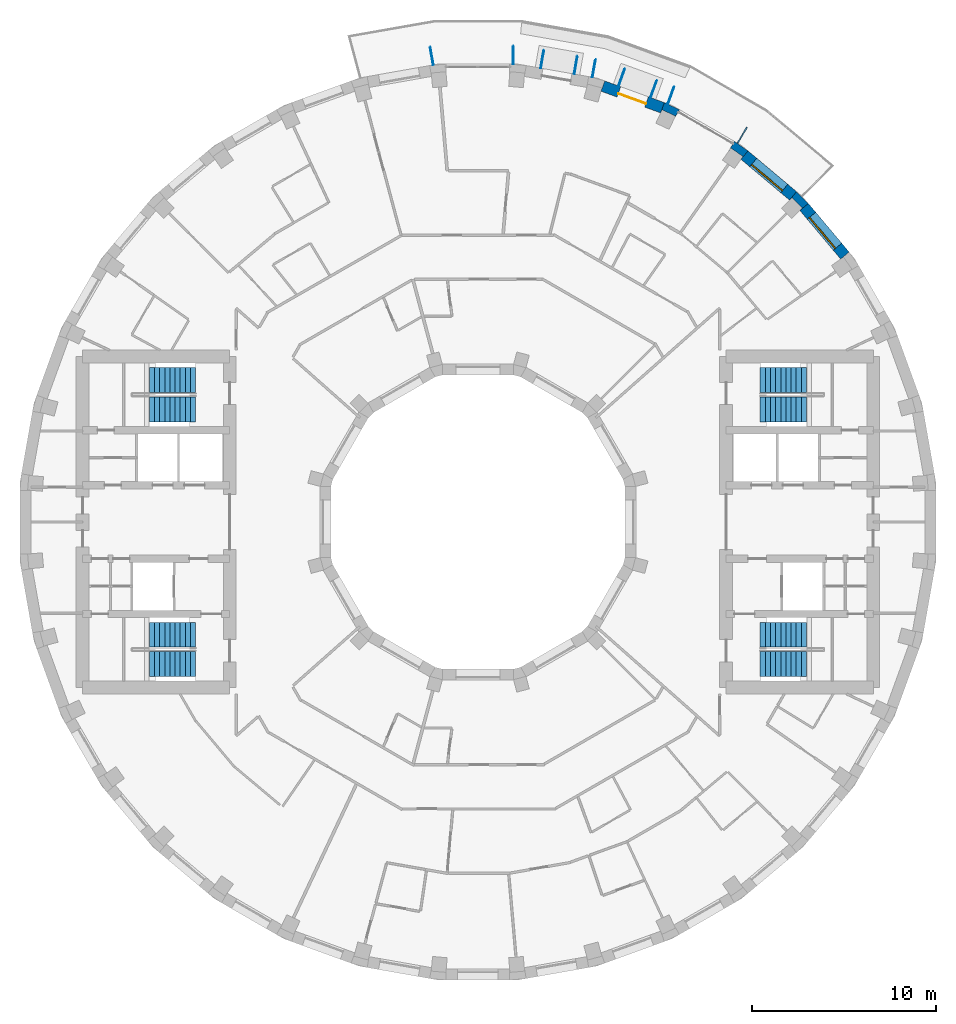
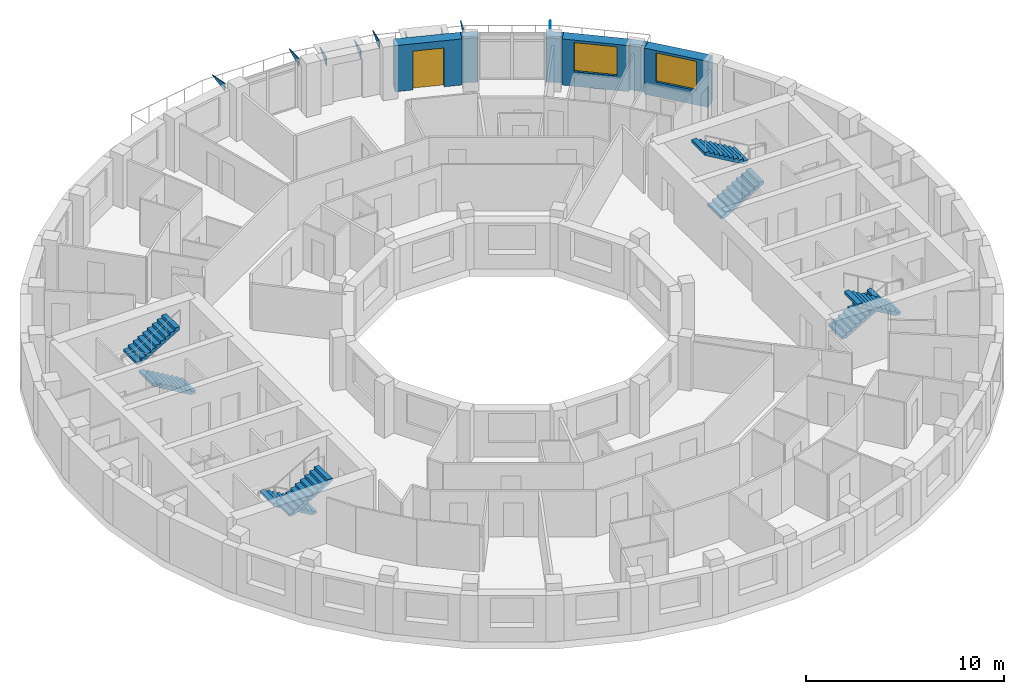
# One storey, part 12 of 13: 9 discrete accessories, 8 stair flights, 6 walls, 2 windows, 1 door, 3 openings, 4 elements without a shape of their own.
"""IFC4 building model written with IfcOpenShell, lengths in metres."""

from ifc_helpers import new_model, si_unit, direction, frame, frame_2d, origin, place, context, subcontext, project, spatial, polyline, rectangle, outline, extrude, material, layer, layer_set, type_object, element, fill, aggregate, save


model = new_model("IFC4")

# Units and contexts
model_context = context("Model", 3, precision=1e-05, world=origin(), true_north=direction((0.0, 1.0)))
body_context = subcontext(model_context, "Body", "Model", "MODEL_VIEW")
ifc_project = project(units=[si_unit("LENGTHUNIT", "METRE"), si_unit("AREAUNIT", "SQUARE_METRE"), si_unit("VOLUMEUNIT", "CUBIC_METRE"), si_unit("PLANEANGLEUNIT", "RADIAN"), si_unit("MASSUNIT", "GRAM", prefix="KILO")], contexts=[model_context])

# Site, building, storey
site_placement = place(None, origin())
site = spatial("IfcSite", under=ifc_project, at=site_placement, CompositionType="ELEMENT")
building_placement = place(site_placement, origin())
building = spatial("IfcBuilding", under=site, at=building_placement, Name="Saqina Gate Tower", CompositionType="ELEMENT")
storey_placement = place(building_placement, frame((0.0, 0.0, 203.699951171875)))
storey = spatial("IfcBuildingStorey", under=building, at=storey_placement, Name="L58", CompositionType="ELEMENT", Elevation=203.699951171875)

# Walls
ifc_material_1 = material(Name="Brick masonry (buff)", Category="masonry")
wall_type_1 = type_object("IfcWallType", Name="BRICK PIER COPING BUFF", PredefinedType="SOLIDWALL", material=ifc_material_1)
wall_1_placement = place(storey_placement, origin())
element("IfcWall", 1, at=wall_1_placement, inside=storey, type_object=wall_type_1, Name="Pier cap L58 column 5", PredefinedType="SOLIDWALL", context=body_context, shape_type="SweptSolid", body=[
    extrude(outline(polyline([(17.329833984375, 17.969482421875), (16.944091796875, 17.510009765625), (17.07666015625, 17.642333984375), (17.642333984375, 17.07666015625), (17.510009765625, 16.944091796875), (17.969482421875, 17.329833984375), (17.329833984375, 17.969482421875)])), origin(), (0.0, 0.0, 1.0), 2.85009765625),
])
wall_2_placement = place(storey_placement, origin())
element("IfcWall", 2, at=wall_2_placement, inside=storey, type_object=wall_type_1, Name="Pier cap L58 column 6", PredefinedType="SOLIDWALL", context=body_context, shape_type="SweptSolid", body=[
    extrude(outline(polyline([(14.687255859375, 20.18701171875), (13.9462890625, 20.705810546875), (13.646240234375, 20.186279296875), (13.753662109375, 20.339599609375), (14.408935546875, 19.880859375), (14.301513671875, 19.727294921875), (14.687255859375, 20.18701171875)])), origin(), (0.0, 0.0, 1.0), 2.85009765625),
])
wall_3_placement = place(storey_placement, origin())
element("IfcWall", 3, at=wall_3_placement, inside=storey, type_object=wall_type_1, Name="Pier cap L58 column 7", PredefinedType="SOLIDWALL", context=body_context, shape_type="SweptSolid", body=[
    extrude(outline(polyline([(10.138916015625, 22.81298828125), (9.93359375, 22.249267578125), (10.0126953125, 22.4189453125), (10.73779296875, 22.080810546875), (10.65869140625, 21.9111328125), (10.958740234375, 22.4306640625), (10.138916015625, 22.81298828125)])), origin(), (0.0, 0.0, 1.0), 2.85009765625),
])

# Wall, opening, window
ifc_material_2 = material(Name="Brick masonry (buff)", Category="masonry")
ifc_layer_1 = layer(ifc_material_2, 0.60009765625)
ifc_layer_set_1 = layer_set([ifc_layer_1], Name="FW-BRICK-BUFF")
wall_type_2 = type_object("IfcWallType", Name="FW-BRICK-BUFF", PredefinedType="SOLIDWALL", material=ifc_layer_set_1)
wall_4_placement = place(storey_placement, frame((19.95703125, 14.494384765625, 0.0), z_axis=(0.0, 0.0, 1.0), x_axis=(-0.642770398358, 0.766058884809, 0.0)))
wall_4 = element("IfcWall", 4, at=wall_4_placement, inside=storey, type_object=wall_type_2, Name="Facade wall L58 facet 4", PredefinedType="SOLIDWALL", context=body_context, shape_type="SweptSolid", body=[
    extrude(rectangle(XDim=3.449462890625, YDim=0.60009765625, at=frame_2d((1.724609375, 0.0))), origin(), (0.0, 0.0, 1.0), 2.85009765625),
])
opening_1_placement = place(wall_4_placement, frame((0.625, 0.0, 0.89990234375)))
opening_1 = element("IfcOpeningElement", 5, at=opening_1_placement, cuts=wall_4, Name="Opening G17-W02", PredefinedType="OPENING", context=body_context, shape_type="SweptSolid", body=[
    extrude(rectangle(XDim=2.199951171875, YDim=1.800048828125, at=frame_2d((1.10009765625, 0.89990234375))), frame((0.0, 0.31201171875, 0.0), z_axis=(0.0, -1.0, 0.0), x_axis=(1.0, 0.0, 0.0)), (0.0, 0.0, 1.0), 0.6240234375),
])
ifc_material_3 = material(Name="Aluminium glazing", Category="aluminium")
window_type = type_object("IfcWindowType", Name="WN-C", PartitioningType="SINGLE_PANEL", PredefinedType="WINDOW", material=ifc_material_3)
window_1_placement = place(opening_1_placement, origin())
window_1 = element("IfcWindow", 6, at=window_1_placement, inside=storey, type_object=window_type, Name="Window L58 facet 4", OverallHeight=1.800048828125, OverallWidth=2.199951171875, PartitioningType="SINGLE_PANEL", PredefinedType="WINDOW", context=body_context, shape_type="SweptSolid", body=[
    extrude(rectangle(XDim=2.199951171875, YDim=1.800048828125, at=frame_2d((1.10009765625, 0.89990234375))), frame((0.0, 0.179931640625, 0.0), z_axis=(0.0, -1.0, 0.0), x_axis=(1.0, 0.0, 0.0)), (0.0, 0.0, 1.0), 0.06005859375),
])
fill(opening_1, window_1)

wall_5_placement = place(storey_placement, frame((17.136962890625, 17.73974609375, 0.0), z_axis=(0.0, 0.0, 1.0), x_axis=(-0.766058884809, 0.642770398358, 0.0)))
wall_5 = element("IfcWall", 7, at=wall_5_placement, inside=storey, type_object=wall_type_2, Name="Facade wall L58 facet 5", PredefinedType="SOLIDWALL", context=body_context, shape_type="SweptSolid", body=[
    extrude(rectangle(XDim=3.449462890625, YDim=0.60009765625, at=frame_2d((1.724609375, 0.0))), origin(), (0.0, 0.0, 1.0), 2.85009765625),
])
opening_2_placement = place(wall_5_placement, frame((0.625, 0.0, 0.89990234375)))
opening_2 = element("IfcOpeningElement", 8, at=opening_2_placement, cuts=wall_5, Name="Opening G17-W03", PredefinedType="OPENING", context=body_context, shape_type="SweptSolid", body=[
    extrude(rectangle(XDim=2.199951171875, YDim=1.800048828125, at=frame_2d((1.10009765625, 0.89990234375))), frame((0.0, 0.31201171875, 0.0), z_axis=(0.0, -1.0, 0.0), x_axis=(1.0, 0.0, 0.0)), (0.0, 0.0, 1.0), 0.6240234375),
])
window_2_placement = place(opening_2_placement, origin())
window_2 = element("IfcWindow", 9, at=window_2_placement, inside=storey, type_object=window_type, Name="Window L58 facet 5", OverallHeight=1.800048828125, OverallWidth=2.199951171875, PartitioningType="SINGLE_PANEL", PredefinedType="WINDOW", context=body_context, shape_type="SweptSolid", body=[
    extrude(rectangle(XDim=2.199951171875, YDim=1.800048828125, at=frame_2d((1.10009765625, 0.89990234375))), frame((0.0, 0.179931640625, 0.0), z_axis=(0.0, -1.0, 0.0), x_axis=(1.0, 0.0, 0.0)), (0.0, 0.0, 1.0), 0.06005859375),
])
fill(opening_2, window_2)

# Wall, opening, door
wall_6_placement = place(storey_placement, frame((10.0361328125, 22.531005859375, 0.0), z_axis=(0.0, 0.0, 1.0), x_axis=(-0.93968799822, 0.342032843455, 0.0)))
wall_6 = element("IfcWall", 10, at=wall_6_placement, inside=storey, type_object=wall_type_2, Name="Facade wall L58 facet 7", PredefinedType="SOLIDWALL", context=body_context, shape_type="SweptSolid", body=[
    extrude(rectangle(XDim=3.44970703125, YDim=0.60009765625, at=frame_2d((1.724853515625, 0.0))), origin(), (0.0, 0.0, 1.0), 2.85009765625),
])
opening_3_placement = place(wall_6_placement, frame((0.9248046875, 0.0, 0.0)))
opening_3 = element("IfcOpeningElement", 11, at=opening_3_placement, cuts=wall_6, Name="Opening G17-D80", PredefinedType="OPENING", context=body_context, shape_type="SweptSolid", body=[
    extrude(rectangle(XDim=1.60009765625, YDim=2.39990234375, at=frame_2d((0.800048828125, 1.199951171875))), frame((0.0, 0.31201171875, 0.0), z_axis=(0.0, -1.0, 0.0), x_axis=(1.0, 0.0, 0.0)), (0.0, 0.0, 1.0), 0.6240234375),
])
ifc_material_4 = material(Name="Aluminium glazing", Category="aluminium")
door_type = type_object("IfcDoorType", Name="GD-C", OperationType="DOUBLE_DOOR_SINGLE_SWING", PredefinedType="DOOR", material=ifc_material_4)
door_placement = place(opening_3_placement, origin())
door = element("IfcDoor", 12, at=door_placement, inside=storey, type_object=door_type, Name="Terrace door L58 facet 7", OperationType="DOUBLE_DOOR_SINGLE_SWING", OverallHeight=2.39990234375, OverallWidth=1.60009765625, PredefinedType="DOOR", context=body_context, shape_type="SweptSolid", body=[
    extrude(rectangle(XDim=1.60009765625, YDim=2.39990234375, at=frame_2d((0.800048828125, 1.199951171875))), frame((0.0, 0.125, 0.0), z_axis=(0.0, -1.0, 0.0), x_axis=(1.0, 0.0, 0.0)), (0.0, 0.0, 1.0), 0.050048828125),
])
fill(opening_3, door)

# Stair, stair flights
ifc_material_5 = material(Name="Concrete C40/50", Category="concrete")
stair_type = type_object("IfcStairType", Name="EXIT STAIR", PredefinedType="HALF_TURN_STAIR", material=ifc_material_5)
stair_1_placement = place(storey_placement, origin())
stair_1 = element("IfcStair", 13, at=stair_1_placement, inside=storey, type_object=stair_type, Name="EXIT STAIR 1", PredefinedType="HALF_TURN_STAIR")
ifc_material_6 = material(Name="Concrete C40/50", Category="concrete")
stair_flight_type = type_object("IfcStairFlightType", Name="EXIT STAIR FLIGHT", PredefinedType="STRAIGHT", material=ifc_material_6)
stair_flight_1_placement = place(storey_placement, frame((15.35009765625, 6.125, 0.0), z_axis=(0.0, 0.0, 1.0), x_axis=(1.0, 0.0, 0.0)))
stair_flight_1 = element("IfcStairFlight", 14, at=stair_flight_1_placement, type_object=stair_flight_type, Name="EXIT STAIR 1 FLIGHT 1", NumberOfRisers=10, NumberOfTreads=9, PredefinedType="STRAIGHT", RiserHeight=0.165, TreadLength=0.28, context=body_context, shape_type="SweptSolid", body=[
    extrude(outline(polyline([(0.0, 0.0), (0.0, 0.1650390625), (0.280029296875, 0.1650390625), (0.280029296875, 0.330078125), (0.56005859375, 0.330078125), (0.56005859375, 0.4951171875), (0.840087890625, 0.4951171875), (0.840087890625, 0.659912109375), (1.1201171875, 0.659912109375), (1.1201171875, 0.824951171875), (1.39990234375, 0.824951171875), (1.39990234375, 0.989990234375), (1.679931640625, 0.989990234375), (1.679931640625, 1.155029296875), (1.9599609375, 1.155029296875), (1.9599609375, 1.320068359375), (2.239990234375, 1.320068359375), (2.239990234375, 1.485107421875), (2.52001953125, 1.485107421875), (2.52001953125, 1.64990234375), (2.52001953125, 1.31103515625), (0.295166015625, 0.0), (0.0, 0.0)])), frame((0.0, 0.675048828125, 0.0), z_axis=(0.0, -1.0, 0.0), x_axis=(1.0, 0.0, 0.0)), (0.0, 0.0, 1.0), 1.35009765625),
])
stair_flight_2_placement = place(storey_placement, frame((17.8701171875, 7.72509765625, 1.650146484375), z_axis=(0.0, 0.0, 1.0), x_axis=(-1.0, 0.0, 0.0)))
stair_flight_2 = element("IfcStairFlight", 15, at=stair_flight_2_placement, type_object=stair_flight_type, Name="EXIT STAIR 1 FLIGHT 2", NumberOfRisers=10, NumberOfTreads=9, PredefinedType="STRAIGHT", RiserHeight=0.165, TreadLength=0.28, context=body_context, shape_type="SweptSolid", body=[
    extrude(outline(polyline([(0.0, 0.0), (0.0, 0.1650390625), (0.280029296875, 0.1650390625), (0.280029296875, 0.330078125), (0.56005859375, 0.330078125), (0.56005859375, 0.4951171875), (0.840087890625, 0.4951171875), (0.840087890625, 0.659912109375), (1.1201171875, 0.659912109375), (1.1201171875, 0.824951171875), (1.39990234375, 0.824951171875), (1.39990234375, 0.989990234375), (1.679931640625, 0.989990234375), (1.679931640625, 1.155029296875), (1.9599609375, 1.155029296875), (1.9599609375, 1.320068359375), (2.239990234375, 1.320068359375), (2.239990234375, 1.485107421875), (2.52001953125, 1.485107421875), (2.52001953125, 1.64990234375), (2.52001953125, 1.31103515625), (0.295166015625, 0.0), (0.0, 0.0)])), frame((0.0, 0.675048828125, 0.0), z_axis=(0.0, -1.0, 0.0), x_axis=(1.0, 0.0, 0.0)), (0.0, 0.0, 1.0), 1.35009765625),
])
aggregate(stair_1, [stair_flight_1, stair_flight_2])

stair_2_placement = place(storey_placement, origin())
stair_2 = element("IfcStair", 16, at=stair_2_placement, inside=storey, type_object=stair_type, Name="EXIT STAIR 2", PredefinedType="HALF_TURN_STAIR")
stair_flight_3_placement = place(storey_placement, frame((15.35009765625, -6.125, 0.0), z_axis=(0.0, 0.0, 1.0), x_axis=(1.0, 0.0, 0.0)))
stair_flight_3 = element("IfcStairFlight", 17, at=stair_flight_3_placement, type_object=stair_flight_type, Name="EXIT STAIR 2 FLIGHT 1", NumberOfRisers=10, NumberOfTreads=9, PredefinedType="STRAIGHT", RiserHeight=0.165, TreadLength=0.28, context=body_context, shape_type="SweptSolid", body=[
    extrude(outline(polyline([(0.0, 0.0), (0.0, 0.1650390625), (0.280029296875, 0.1650390625), (0.280029296875, 0.330078125), (0.56005859375, 0.330078125), (0.56005859375, 0.4951171875), (0.840087890625, 0.4951171875), (0.840087890625, 0.659912109375), (1.1201171875, 0.659912109375), (1.1201171875, 0.824951171875), (1.39990234375, 0.824951171875), (1.39990234375, 0.989990234375), (1.679931640625, 0.989990234375), (1.679931640625, 1.155029296875), (1.9599609375, 1.155029296875), (1.9599609375, 1.320068359375), (2.239990234375, 1.320068359375), (2.239990234375, 1.485107421875), (2.52001953125, 1.485107421875), (2.52001953125, 1.64990234375), (2.52001953125, 1.31103515625), (0.295166015625, 0.0), (0.0, 0.0)])), frame((0.0, 0.675048828125, 0.0), z_axis=(0.0, -1.0, 0.0), x_axis=(1.0, 0.0, 0.0)), (0.0, 0.0, 1.0), 1.35009765625),
])
stair_flight_4_placement = place(storey_placement, frame((17.8701171875, -7.72509765625, 1.650146484375), z_axis=(0.0, 0.0, 1.0), x_axis=(-1.0, 0.0, 0.0)))
stair_flight_4 = element("IfcStairFlight", 18, at=stair_flight_4_placement, type_object=stair_flight_type, Name="EXIT STAIR 2 FLIGHT 2", NumberOfRisers=10, NumberOfTreads=9, PredefinedType="STRAIGHT", RiserHeight=0.165, TreadLength=0.28, context=body_context, shape_type="SweptSolid", body=[
    extrude(outline(polyline([(0.0, 0.0), (0.0, 0.1650390625), (0.280029296875, 0.1650390625), (0.280029296875, 0.330078125), (0.56005859375, 0.330078125), (0.56005859375, 0.4951171875), (0.840087890625, 0.4951171875), (0.840087890625, 0.659912109375), (1.1201171875, 0.659912109375), (1.1201171875, 0.824951171875), (1.39990234375, 0.824951171875), (1.39990234375, 0.989990234375), (1.679931640625, 0.989990234375), (1.679931640625, 1.155029296875), (1.9599609375, 1.155029296875), (1.9599609375, 1.320068359375), (2.239990234375, 1.320068359375), (2.239990234375, 1.485107421875), (2.52001953125, 1.485107421875), (2.52001953125, 1.64990234375), (2.52001953125, 1.31103515625), (0.295166015625, 0.0), (0.0, 0.0)])), frame((0.0, 0.675048828125, 0.0), z_axis=(0.0, -1.0, 0.0), x_axis=(1.0, 0.0, 0.0)), (0.0, 0.0, 1.0), 1.35009765625),
])
aggregate(stair_2, [stair_flight_3, stair_flight_4])

stair_3_placement = place(storey_placement, origin())
stair_3 = element("IfcStair", 19, at=stair_3_placement, inside=storey, type_object=stair_type, Name="EXIT STAIR 3", PredefinedType="HALF_TURN_STAIR")
stair_flight_5_placement = place(storey_placement, frame((-15.35009765625, 6.125, 0.0), z_axis=(0.0, 0.0, 1.0), x_axis=(-1.0, 0.0, 0.0)))
stair_flight_5 = element("IfcStairFlight", 20, at=stair_flight_5_placement, type_object=stair_flight_type, Name="EXIT STAIR 3 FLIGHT 1", NumberOfRisers=10, NumberOfTreads=9, PredefinedType="STRAIGHT", RiserHeight=0.165, TreadLength=0.28, context=body_context, shape_type="SweptSolid", body=[
    extrude(outline(polyline([(0.0, 0.0), (0.0, 0.1650390625), (0.280029296875, 0.1650390625), (0.280029296875, 0.330078125), (0.56005859375, 0.330078125), (0.56005859375, 0.4951171875), (0.840087890625, 0.4951171875), (0.840087890625, 0.659912109375), (1.1201171875, 0.659912109375), (1.1201171875, 0.824951171875), (1.39990234375, 0.824951171875), (1.39990234375, 0.989990234375), (1.679931640625, 0.989990234375), (1.679931640625, 1.155029296875), (1.9599609375, 1.155029296875), (1.9599609375, 1.320068359375), (2.239990234375, 1.320068359375), (2.239990234375, 1.485107421875), (2.52001953125, 1.485107421875), (2.52001953125, 1.64990234375), (2.52001953125, 1.31103515625), (0.295166015625, 0.0), (0.0, 0.0)])), frame((0.0, 0.675048828125, 0.0), z_axis=(0.0, -1.0, 0.0), x_axis=(1.0, 0.0, 0.0)), (0.0, 0.0, 1.0), 1.35009765625),
])
stair_flight_6_placement = place(storey_placement, frame((-17.8701171875, 7.72509765625, 1.650146484375), z_axis=(0.0, 0.0, 1.0), x_axis=(1.0, 0.0, 0.0)))
stair_flight_6 = element("IfcStairFlight", 21, at=stair_flight_6_placement, type_object=stair_flight_type, Name="EXIT STAIR 3 FLIGHT 2", NumberOfRisers=10, NumberOfTreads=9, PredefinedType="STRAIGHT", RiserHeight=0.165, TreadLength=0.28, context=body_context, shape_type="SweptSolid", body=[
    extrude(outline(polyline([(0.0, 0.0), (0.0, 0.1650390625), (0.280029296875, 0.1650390625), (0.280029296875, 0.330078125), (0.56005859375, 0.330078125), (0.56005859375, 0.4951171875), (0.840087890625, 0.4951171875), (0.840087890625, 0.659912109375), (1.1201171875, 0.659912109375), (1.1201171875, 0.824951171875), (1.39990234375, 0.824951171875), (1.39990234375, 0.989990234375), (1.679931640625, 0.989990234375), (1.679931640625, 1.155029296875), (1.9599609375, 1.155029296875), (1.9599609375, 1.320068359375), (2.239990234375, 1.320068359375), (2.239990234375, 1.485107421875), (2.52001953125, 1.485107421875), (2.52001953125, 1.64990234375), (2.52001953125, 1.31103515625), (0.295166015625, 0.0), (0.0, 0.0)])), frame((0.0, 0.675048828125, 0.0), z_axis=(0.0, -1.0, 0.0), x_axis=(1.0, 0.0, 0.0)), (0.0, 0.0, 1.0), 1.35009765625),
])
aggregate(stair_3, [stair_flight_5, stair_flight_6])

stair_4_placement = place(storey_placement, origin())
stair_4 = element("IfcStair", 22, at=stair_4_placement, inside=storey, type_object=stair_type, Name="EXIT STAIR 4", PredefinedType="HALF_TURN_STAIR")
stair_flight_7_placement = place(storey_placement, frame((-15.35009765625, -6.125, 0.0), z_axis=(0.0, 0.0, 1.0), x_axis=(-1.0, 0.0, 0.0)))
stair_flight_7 = element("IfcStairFlight", 23, at=stair_flight_7_placement, type_object=stair_flight_type, Name="EXIT STAIR 4 FLIGHT 1", NumberOfRisers=10, NumberOfTreads=9, PredefinedType="STRAIGHT", RiserHeight=0.165, TreadLength=0.28, context=body_context, shape_type="SweptSolid", body=[
    extrude(outline(polyline([(0.0, 0.0), (0.0, 0.1650390625), (0.280029296875, 0.1650390625), (0.280029296875, 0.330078125), (0.56005859375, 0.330078125), (0.56005859375, 0.4951171875), (0.840087890625, 0.4951171875), (0.840087890625, 0.659912109375), (1.1201171875, 0.659912109375), (1.1201171875, 0.824951171875), (1.39990234375, 0.824951171875), (1.39990234375, 0.989990234375), (1.679931640625, 0.989990234375), (1.679931640625, 1.155029296875), (1.9599609375, 1.155029296875), (1.9599609375, 1.320068359375), (2.239990234375, 1.320068359375), (2.239990234375, 1.485107421875), (2.52001953125, 1.485107421875), (2.52001953125, 1.64990234375), (2.52001953125, 1.31103515625), (0.295166015625, 0.0), (0.0, 0.0)])), frame((0.0, 0.675048828125, 0.0), z_axis=(0.0, -1.0, 0.0), x_axis=(1.0, 0.0, 0.0)), (0.0, 0.0, 1.0), 1.35009765625),
])
stair_flight_8_placement = place(storey_placement, frame((-17.8701171875, -7.72509765625, 1.650146484375), z_axis=(0.0, 0.0, 1.0), x_axis=(1.0, 0.0, 0.0)))
stair_flight_8 = element("IfcStairFlight", 24, at=stair_flight_8_placement, type_object=stair_flight_type, Name="EXIT STAIR 4 FLIGHT 2", NumberOfRisers=10, NumberOfTreads=9, PredefinedType="STRAIGHT", RiserHeight=0.165, TreadLength=0.28, context=body_context, shape_type="SweptSolid", body=[
    extrude(outline(polyline([(0.0, 0.0), (0.0, 0.1650390625), (0.280029296875, 0.1650390625), (0.280029296875, 0.330078125), (0.56005859375, 0.330078125), (0.56005859375, 0.4951171875), (0.840087890625, 0.4951171875), (0.840087890625, 0.659912109375), (1.1201171875, 0.659912109375), (1.1201171875, 0.824951171875), (1.39990234375, 0.824951171875), (1.39990234375, 0.989990234375), (1.679931640625, 0.989990234375), (1.679931640625, 1.155029296875), (1.9599609375, 1.155029296875), (1.9599609375, 1.320068359375), (2.239990234375, 1.320068359375), (2.239990234375, 1.485107421875), (2.52001953125, 1.485107421875), (2.52001953125, 1.64990234375), (2.52001953125, 1.31103515625), (0.295166015625, 0.0), (0.0, 0.0)])), frame((0.0, 0.675048828125, 0.0), z_axis=(0.0, -1.0, 0.0), x_axis=(1.0, 0.0, 0.0)), (0.0, 0.0, 1.0), 1.35009765625),
])
aggregate(stair_4, [stair_flight_7, stair_flight_8])

# Discrete accessories
ifc_material_7 = material(Name="Galvanised steel", Category="steel")
ifc_layer_2 = layer(ifc_material_7, 0.050048828125)
ifc_layer_set_2 = layer_set([ifc_layer_2], Name="BR-AWNING")
discrete_accessory_type_1 = type_object("IfcDiscreteAccessoryType", Name="BR-AWNING", PredefinedType="BRACKET", material=ifc_layer_set_2)
discrete_accessory_1_placement = place(storey_placement, frame((9.363525390625, 23.09521484375, 1.97509765625), z_axis=(-0.939686455819, 0.342037080957, 0.0), x_axis=(0.0, 0.0, 1.0)))
element("IfcDiscreteAccessory", 25, at=discrete_accessory_1_placement, inside=storey, type_object=discrete_accessory_type_1, Name="Awning bracket L58 facet 7", PredefinedType="BRACKET", context=body_context, shape_type="SweptSolid", body=[
    extrude(outline(polyline([(0.0, 0.0), (0.550048828125, 0.0), (0.550048828125, 1.000011503630275), (0.0, 0.0)])), origin(), (0.0, 0.0, -1.0), 0.050048828125),
])
discrete_accessory_2_placement = place(storey_placement, frame((7.62548828125, 23.727783203125, 1.97509765625), z_axis=(-0.939764905391, 0.341821477669, 0.0), x_axis=(0.0, 0.0, 1.0)))
element("IfcDiscreteAccessory", 26, at=discrete_accessory_2_placement, inside=storey, type_object=discrete_accessory_type_1, Name="Awning bracket L58 facet 7", PredefinedType="BRACKET", context=body_context, shape_type="SweptSolid", body=[
    extrude(outline(polyline([(0.0, 0.0), (0.550048828125, 0.0), (0.550048828125, 0.9999280248012192), (0.0, 0.0)])), origin(), (0.0, 0.0, -1.0), 0.050048828125),
])
discrete_accessory_3_placement = place(storey_placement, frame((5.2109375, 24.3701171875, 1.97509765625), z_axis=(-0.984820401928, 0.173576426815, 0.0), x_axis=(0.0, 0.0, 1.0)))
element("IfcDiscreteAccessory", 27, at=discrete_accessory_3_placement, inside=storey, type_object=discrete_accessory_type_1, Name="Awning bracket L58 facet 8", PredefinedType="BRACKET", context=body_context, shape_type="SweptSolid", body=[
    extrude(outline(polyline([(0.0, 0.0), (0.550048828125, 0.0), (0.550048828125, 1.000043540245132), (0.0, 0.0)])), origin(), (0.0, 0.0, -1.0), 0.050048828125),
])
discrete_accessory_4_placement = place(storey_placement, frame((3.38916015625, 24.69140625, 1.97509765625), z_axis=(-0.984778643263, 0.173813186416, 0.0), x_axis=(0.0, 0.0, 1.0)))
element("IfcDiscreteAccessory", 28, at=discrete_accessory_4_placement, inside=storey, type_object=discrete_accessory_type_1, Name="Awning bracket L58 facet 8", PredefinedType="BRACKET", context=body_context, shape_type="SweptSolid", body=[
    extrude(outline(polyline([(0.0, 0.0), (0.550048828125, 0.0), (0.550048828125, 1.0000859462043912), (0.0, 0.0)])), origin(), (0.0, 0.0, -1.0), 0.050048828125),
])
ifc_material_8 = material(Name="Galvanised steel", Category="steel")
ifc_layer_3 = layer(ifc_material_8, 0.050048828125)
ifc_layer_set_3 = layer_set([ifc_layer_3], Name="BR-GUSSET")
discrete_accessory_type_2 = type_object("IfcDiscreteAccessoryType", Name="BR-GUSSET", PredefinedType="BRACKET", material=ifc_layer_set_3)
discrete_accessory_5_placement = place(storey_placement, frame((14.101318359375, 20.6162109375, 2.35009765625), z_axis=(-0.866071776036, 0.499919672301, 0.0), x_axis=(0.0, 0.0, 1.0)))
element("IfcDiscreteAccessory", 29, at=discrete_accessory_5_placement, inside=storey, type_object=discrete_accessory_type_2, Name="Terrace slab bracket L59 1", PredefinedType="BRACKET", context=body_context, shape_type="SweptSolid", body=[
    extrude(outline(polyline([(0.0, 0.0), (0.5, 0.0), (0.5, 1.0001606812130883), (0.0, 0.0)])), origin(), (0.0, 0.0, -1.0), 0.050048828125),
])
discrete_accessory_6_placement = place(storey_placement, frame((10.306884765625, 22.751708984375, 2.35009765625), z_axis=(-0.939607969897, 0.34225263024, 0.0), x_axis=(0.0, 0.0, 1.0)))
element("IfcDiscreteAccessory", 30, at=discrete_accessory_6_placement, inside=storey, type_object=discrete_accessory_type_2, Name="Terrace slab bracket L59 2", PredefinedType="BRACKET", context=body_context, shape_type="SweptSolid", body=[
    extrude(outline(polyline([(0.0, 0.0), (0.5, 0.0), (0.5, 1.0000950350902602), (0.0, 0.0)])), origin(), (0.0, 0.0, -1.0), 0.050048828125),
])
discrete_accessory_7_placement = place(storey_placement, frame((6.19970703125, 24.19580078125, 2.35009765625), z_axis=(-0.984820401928, 0.173576426815, 0.0), x_axis=(0.0, 0.0, 1.0)))
element("IfcDiscreteAccessory", 31, at=discrete_accessory_7_placement, inside=storey, type_object=discrete_accessory_type_2, Name="Terrace slab bracket L59 3", PredefinedType="BRACKET", context=body_context, shape_type="SweptSolid", body=[
    extrude(outline(polyline([(0.0, 0.0), (0.5, 0.0), (0.5, 1.000043540245132), (0.0, 0.0)])), origin(), (0.0, 0.0, -1.0), 0.050048828125),
])
discrete_accessory_8_placement = place(storey_placement, frame((1.90380859375, 24.90478515625, 2.35009765625), z_axis=(-1.0, 0.0, 0.0), x_axis=(0.0, 0.0, 1.0)))
element("IfcDiscreteAccessory", 32, at=discrete_accessory_8_placement, inside=storey, type_object=discrete_accessory_type_2, Name="Terrace slab bracket L59 4", PredefinedType="BRACKET", context=body_context, shape_type="SweptSolid", body=[
    extrude(outline(polyline([(0.0, 0.0), (0.5, 0.0), (0.5, 1.0), (0.0, 0.0)])), origin(), (0.0, 0.0, -1.0), 0.050048828125),
])
discrete_accessory_9_placement = place(storey_placement, frame((-2.44970703125, 24.857177734375, 2.35009765625), z_axis=(-0.984813043937, -0.173618168668, 0.0), x_axis=(0.0, 0.0, 1.0)))
element("IfcDiscreteAccessory", 33, at=discrete_accessory_9_placement, inside=storey, type_object=discrete_accessory_type_2, Name="Terrace slab bracket L59 5", PredefinedType="BRACKET", context=body_context, shape_type="SweptSolid", body=[
    extrude(outline(polyline([(0.0, 0.0), (0.5, 0.0), (0.5, 0.9998031064747768), (0.0, 0.0)])), origin(), (0.0, 0.0, -1.0), 0.050048828125),
])

save(model, "model.ifc")
